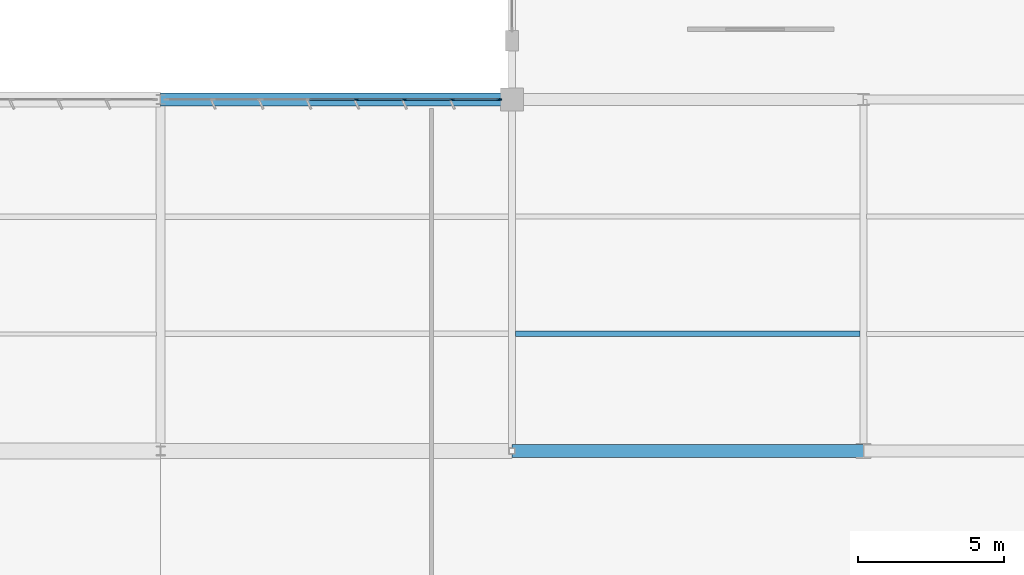
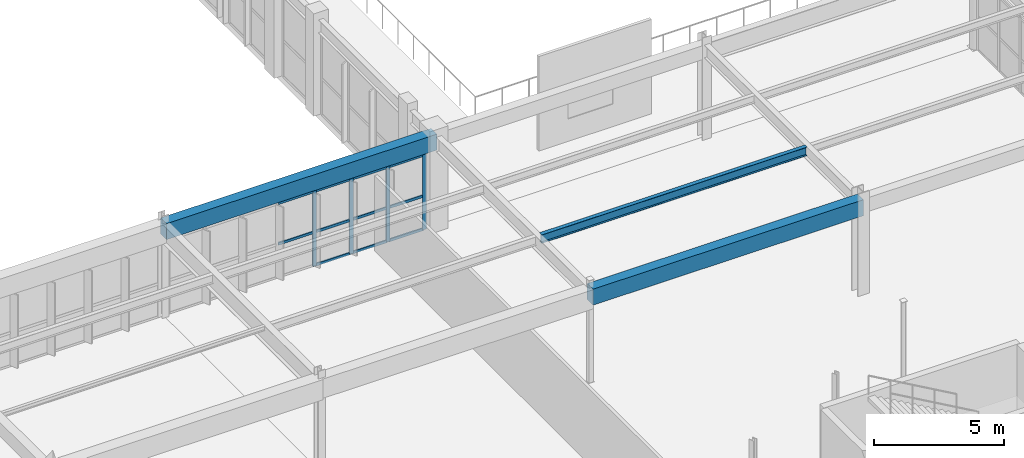
# One storey, part 84 of 226: 15 members, 3 beams, 1 element without a shape of its own.
"""IFC4 building model written with IfcOpenShell, lengths in metres."""

import ifcopenshell
import ifcopenshell.guid

model = None  # the IFC model being written
_history = None  # IfcOwnerHistory: only IFC2X3 demands one
_inside = {}  # id of a spatial element -> (the spatial element, [elements in it])
_under = {}  # id of a project, library or spatial element -> (it, [spatial elements below it])
_declared = {}  # id of a project -> (the project, [libraries it declares])
_typed = {}  # id of a type object -> (the type object, [elements of that type])
_made_of = {}  # id of a material, layer set ... -> (it, [elements and type objects made of it])


def new_model(schema):
    """Start an empty IFC model of exactly this schema.

    Asked for "IFC4X3", IfcOpenShell would pick the latest addendum, in which some entities
    have other attributes; the version numbers below select the first issue.
    IFC2X3 requires an IfcOwnerHistory on every rooted entity: one is made here for all.
    """
    global model, _history
    if schema == "IFC4X3":
        model = ifcopenshell.file(schema_version=(4, 3, 0, 0))
    else:
        model = ifcopenshell.file(schema=schema)
    _inside.clear()
    _under.clear()
    _declared.clear()
    _typed.clear()
    _made_of.clear()
    _history = None
    if model.schema == "IFC2X3":
        org = make("IfcOrganization", Name="unknown")
        user = make(
            "IfcPersonAndOrganization",
            ThePerson=make("IfcPerson", FamilyName="unknown"),
            TheOrganization=org,
        )
        app = make(
            "IfcApplication",
            ApplicationDeveloper=org,
            Version="unknown",
            ApplicationFullName="unknown",
            ApplicationIdentifier="unknown",
        )
        _history = make(
            "IfcOwnerHistory",
            OwningUser=user,
            OwningApplication=app,
            ChangeAction="ADDED",
            CreationDate=0,
        )
    return model


def make(cls, **values):
    """One entity of the class cls with the attributes given. An attribute that is None is left unset."""
    return model.create_entity(
        cls, **{name: value for name, value in values.items() if value is not None}
    )


def rooted(cls, **values):
    """An entity with a GlobalId (a new one), such as an element, a storey or a relation."""
    return make(cls, GlobalId=ifcopenshell.guid.new(), OwnerHistory=_history, **values)


def si_unit(unit_type, name, prefix=None):
    """IfcSIUnit, for example si_unit("LENGTHUNIT", "METRE", prefix="MILLI")."""
    return make("IfcSIUnit", UnitType=unit_type, Prefix=prefix, Name=name)


def assignment(units):
    """IfcUnitAssignment: the units of a project."""
    return None if units is None else make("IfcUnitAssignment", Units=units)


def point(xyz):
    """IfcCartesianPoint."""
    return None if xyz is None else make("IfcCartesianPoint", Coordinates=xyz)


def direction(xyz):
    """IfcDirection."""
    return None if xyz is None else make("IfcDirection", DirectionRatios=xyz)


def frame(location, z_axis=None, x_axis=None):
    """IfcAxis2Placement3D, a coordinate frame: its origin and axes. An axis left out is left unset."""
    return make(
        "IfcAxis2Placement3D",
        Location=point(location),
        Axis=direction(z_axis),
        RefDirection=direction(x_axis),
    )


def frame_2d(location, x_axis=None):
    """IfcAxis2Placement2D, a coordinate frame in the plane: its origin and x axis."""
    return make(
        "IfcAxis2Placement2D", Location=point(location), RefDirection=direction(x_axis)
    )


def origin():
    """The frame at (0, 0, 0) with its axes left unset."""
    return frame((0.0, 0.0, 0.0))


def origin_2d():
    """The frame at (0, 0) in the plane with its x axis left unset."""
    return frame_2d((0.0, 0.0))


def place(relative_to, where):
    """IfcLocalPlacement: puts the frame where relative to a parent placement (None: the world)."""
    return make(
        "IfcLocalPlacement", PlacementRelTo=relative_to, RelativePlacement=where
    )


def context(
    kind, dimensions, precision=None, world=None, true_north=None, identifier=None
):
    """IfcGeometricRepresentationContext, for example the 3D "Model" context."""
    return make(
        "IfcGeometricRepresentationContext",
        ContextIdentifier=identifier,
        ContextType=kind,
        CoordinateSpaceDimension=dimensions,
        Precision=precision,
        WorldCoordinateSystem=world,
        TrueNorth=true_north,
    )


def subcontext(parent, identifier, kind, view, scale=None):
    """IfcGeometricRepresentationSubContext, for example "Body" below "Model"."""
    return make(
        "IfcGeometricRepresentationSubContext",
        ContextIdentifier=identifier,
        ContextType=kind,
        ParentContext=parent,
        TargetScale=scale,
        TargetView=view,
    )


def project(units=None, contexts=None):
    """IfcProject with its units and contexts."""
    return rooted(
        "IfcProject",
        Name="project",
        RepresentationContexts=contexts,
        UnitsInContext=assignment(units),
    )


def spatial(cls, under=None, at=None, **own):
    """A site, building, storey or space (cls), placed at a placement, below another one or the project."""
    s = rooted(cls, ObjectPlacement=at, **own)
    if under is not None:
        _under.setdefault(under.id(), (under, []))[1].append(s)
    return s


def profile(cls, at=None, kind="AREA", **sizes):
    """A parametric profile (cls). Its sizes go by their IFC names, for example OverallWidth=200.0."""
    return make(cls, ProfileType=kind, Position=at, **sizes)


def rectangle(**sizes):
    """IfcRectangleProfileDef."""
    return profile("IfcRectangleProfileDef", **sizes)


def i_section(**sizes):
    """IfcIShapeProfileDef."""
    return profile("IfcIShapeProfileDef", **sizes)


def extrude(swept, where, along, depth):
    """IfcExtrudedAreaSolid: the profile swept, set in the frame where, extruded along a direction by depth."""
    return make(
        "IfcExtrudedAreaSolid",
        SweptArea=swept,
        Position=where,
        ExtrudedDirection=direction(along),
        Depth=depth,
    )


def shape(context_of_items, identifier, shape_type, items):
    """IfcShapeRepresentation: the items that make up one representation, for example the "Body"."""
    return make(
        "IfcShapeRepresentation",
        ContextOfItems=context_of_items,
        RepresentationIdentifier=identifier,
        RepresentationType=shape_type,
        Items=items,
    )


def material(Name=None, Category=None):
    """IfcMaterial."""
    return make("IfcMaterial", Name=Name, Category=Category)


def layer(
    of_material, thickness, ventilated=None, Name=None, Category=None, Priority=None
):
    """IfcMaterialLayer: one layer of a wall or slab, of a material (None: an air gap)."""
    return make(
        "IfcMaterialLayer",
        Material=of_material,
        LayerThickness=thickness,
        IsVentilated=ventilated,
        Name=Name,
        Category=Category,
        Priority=Priority,
    )


def layer_set(layers, Name=None):
    """IfcMaterialLayerSet."""
    return make("IfcMaterialLayerSet", MaterialLayers=layers, LayerSetName=Name)


def material_profile(
    of_material, cross_section, Name=None, Category=None, Priority=None
):
    """IfcMaterialProfile: a cross section and its material."""
    return make(
        "IfcMaterialProfile",
        Name=Name,
        Material=of_material,
        Profile=cross_section,
        Priority=Priority,
        Category=Category,
    )


def profile_set(profiles, Name=None, composite=None):
    """IfcMaterialProfileSet."""
    return make(
        "IfcMaterialProfileSet",
        Name=Name,
        MaterialProfiles=profiles,
        CompositeProfile=composite,
    )


def made_of(thing, what):
    """Note that an element or type object is made of a material, layer set ...; save() writes the relation."""
    if what is not None:
        _made_of.setdefault(what.id(), (what, []))[1].append(thing)
    return thing


def type_object(cls, material=None, **own):
    """A type object (cls), such as IfcWallType, which elements share."""
    return made_of(rooted(cls, **own), material)


def element(
    cls,
    number,
    at=None,
    inside=None,
    cuts=None,
    type_object=None,
    material=None,
    context=None,
    identifier="Body",
    shape_type=None,
    held_by="IfcProductDefinitionShape",
    body=None,
    shapes=None,
    **own,
):
    """One element of the class cls, such as IfcWall. Its Tag is "e" and its number.

    at: its placement. inside: the storey or other place that contains it. cuts: it is an
    opening in that element (IfcRelVoidsElement). A single representation is given by context,
    identifier, shape_type and body (its items); several are given by shapes. held_by: the class
    of the entity that holds the representations. save() writes the other relations.
    """
    e = rooted(cls, Tag="e%d" % number, ObjectPlacement=at, **own)
    if body is not None:
        shapes = [shape(context, identifier, shape_type, body)]
    if shapes is not None:
        e.Representation = make(held_by, Representations=shapes)
    if inside is not None:
        _inside.setdefault(inside.id(), (inside, []))[1].append(e)
    if cuts is not None:
        rooted(
            "IfcRelVoidsElement", RelatingBuildingElement=cuts, RelatedOpeningElement=e
        )
    if type_object is not None:
        _typed.setdefault(type_object.id(), (type_object, []))[1].append(e)
    return made_of(e, material)


def aggregate(whole, parts):
    """IfcRelAggregates: a whole, such as a stair, and the parts it consists of."""
    return rooted("IfcRelAggregates", RelatingObject=whole, RelatedObjects=parts)


def save(model, path):
    """Write the relations noted so far, then the file.

    IfcRelAggregates (storeys below a building ...), IfcRelContainedInSpatialStructure (elements
    in a storey), IfcRelDefinesByType, IfcRelAssociatesMaterial and IfcRelDeclares: one each for
    every whole, place, type object, material and project.
    """
    for whole, parts in _under.values():
        aggregate(whole, parts)
    for where, things in _inside.values():
        rooted(
            "IfcRelContainedInSpatialStructure",
            RelatedElements=things,
            RelatingStructure=where,
        )
    for kind, things in _typed.values():
        rooted("IfcRelDefinesByType", RelatedObjects=things, RelatingType=kind)
    for what, things in _made_of.values():
        rooted("IfcRelAssociatesMaterial", RelatedObjects=things, RelatingMaterial=what)
    for by, libraries in _declared.values():
        rooted("IfcRelDeclares", RelatingContext=by, RelatedDefinitions=libraries)
    model.write(path)


model = new_model("IFC4")

# Units and contexts
model_context = context("Model", 3, precision=1e-05, world=origin(), true_north=direction((0.0, 1.0)))
body_context = subcontext(model_context, "Body", "Model", "MODEL_VIEW")
ifc_project = project(units=[si_unit("LENGTHUNIT", "METRE"), si_unit("AREAUNIT", "SQUARE_METRE"), si_unit("VOLUMEUNIT", "CUBIC_METRE"), si_unit("PLANEANGLEUNIT", "RADIAN"), si_unit("MASSUNIT", "GRAM", prefix="KILO")], contexts=[model_context])

# Site, building, storey
site_placement = place(None, origin())
site = spatial("IfcSite", under=ifc_project, at=site_placement, CompositionType="ELEMENT")
building_placement = place(site_placement, origin())
building = spatial("IfcBuilding", under=site, at=building_placement, Name="Tarnwether General Hospital", CompositionType="ELEMENT")
storey_placement = place(building_placement, frame((0.0, 0.0, 4.800048828125)))
storey = spatial("IfcBuildingStorey", under=building, at=storey_placement, Name="L01", CompositionType="ELEMENT", Elevation=4.800048828125)

# Beams
ifc_material_1 = material(Name="Concrete 40 MPa", Category="concrete")
ifc_material_profile_1 = material_profile(ifc_material_1, rectangle(XDim=0.449951171875, YDim=0.75, at=origin_2d()), Name="RC-BM-450x750")
ifc_profile_set_1 = profile_set([ifc_material_profile_1], Name="Concrete 40 MPa")
beam_type_1 = type_object("IfcBeamType", Name="BM-G13", PredefinedType="BEAM", material=ifc_profile_set_1)
for number, where, z_axis, x_axis, name in (
    (1, (96.0, 45.60009765625, 4.070068359375), (1.0, 0.0, 0.0), (0.0, 1.0, 0.0), "Primary Girder BMG-L01-9600_4560-10800_4560-1164"),
    (2, (108.0, 33.60009765625, 4.070068359375), (1.0, 0.0, 0.0), (0.0, 1.0, 0.0), "Primary Girder BMG-L01-10800_3360-12000_3360-1173"),
):
    element("IfcBeam", number, at=place(storey_placement, frame(where, z_axis=z_axis, x_axis=x_axis)), inside=storey, type_object=beam_type_1, Name=name, PredefinedType="BEAM", context=body_context, shape_type="SweptSolid", body=[
        extrude(rectangle(XDim=0.449951171875, YDim=0.75, at=origin_2d()), origin(), (0.0, 0.0, 1.0), 12.0),
    ])
ifc_material_2 = material(Name="Steel Grade 350 (350 MPa)", Category="steel")
ifc_material_profile_2 = material_profile(ifc_material_2, i_section(OverallWidth=0.177978515625, OverallDepth=0.403076171875, WebThickness=0.007568359375, FlangeThickness=0.010986328125, at=origin_2d()), Name="410UB53.7")
ifc_profile_set_2 = profile_set([ifc_material_profile_2], Name="Steel Grade 350 (350 MPa)")
beam_type_2 = type_object("IfcBeamType", Name="BM-J02", PredefinedType="JOIST", material=ifc_profile_set_2)
beam_placement = place(storey_placement, frame((108.118896484375, 37.60009765625, 4.243408203125), z_axis=(1.0, 0.0, 0.0), x_axis=(0.0, 1.0, 0.0)))
element("IfcBeam", 3, at=beam_placement, inside=storey, type_object=beam_type_2, Name="Composite Floor Joist BMG-L01-10812_3760-11989_3760-1377", PredefinedType="JOIST", context=body_context, shape_type="SweptSolid", body=[
    extrude(i_section(OverallWidth=0.177978515625, OverallDepth=0.403076171875, WebThickness=0.007568359375, FlangeThickness=0.010986328125, at=origin_2d()), origin(), (0.0, 0.0, 1.0), 11.772216796875),
])

# Curtain wall, members
ifc_material_3 = material(Name="Anodised aluminium", Category="aluminium")
ifc_layer = layer(ifc_material_3, 0.159912109375)
ifc_layer_set = layer_set([ifc_layer], Name="Anodised aluminium")
curtain_wall_type = type_object("IfcCurtainWallType", Name="CW-24", PredefinedType="NOTDEFINED", material=ifc_layer_set)
curtain_wall_placement = place(storey_placement, origin())
curtain_wall = element("IfcCurtainWall", 4, at=curtain_wall_placement, inside=storey, type_object=curtain_wall_type, Name="Curtain Wall CWG-L01-1076_456-0343", PredefinedType="NOTDEFINED")
ifc_material_4 = material(Name="Anodised aluminium", Category="aluminium")
ifc_material_profile_3 = material_profile(ifc_material_4, rectangle(XDim=0.06005859375, YDim=0.159912109375, at=origin_2d()), Name="ALU-MUL-60x160")
ifc_profile_set_3 = profile_set([ifc_material_profile_3], Name="Anodised aluminium")
member_type_1 = type_object("IfcMemberType", Name="CW-ML1", PredefinedType="MULLION", material=ifc_profile_set_3)
member_1_placement = place(storey_placement, frame((107.56201171875, 45.60009765625, 0.0), z_axis=(0.0, 0.0, 1.0), x_axis=(0.0, -1.0, 0.0)))
member_1 = element("IfcMember", 5, at=member_1_placement, type_object=member_type_1, Name="CW-24 mullion 1", PredefinedType="MULLION", context=body_context, shape_type="SweptSolid", body=[
    extrude(rectangle(XDim=0.06005859375, YDim=0.159912109375, at=origin_2d()), origin(), (0.0, 0.0, 1.0), 3.530029296875),
])
member_2_placement = place(storey_placement, frame((105.959228515625, 45.60009765625, 0.0), z_axis=(0.0, 0.0, 1.0), x_axis=(0.0, -1.0, 0.0)))
member_2 = element("IfcMember", 6, at=member_2_placement, type_object=member_type_1, Name="CW-24 mullion 2", PredefinedType="MULLION", context=body_context, shape_type="SweptSolid", body=[
    extrude(rectangle(XDim=0.06005859375, YDim=0.159912109375, at=origin_2d()), origin(), (0.0, 0.0, 1.0), 3.530029296875),
])
member_3_placement = place(storey_placement, frame((104.326171875, 45.60009765625, 0.0), z_axis=(0.0, 0.0, 1.0), x_axis=(0.0, -1.0, 0.0)))
member_3 = element("IfcMember", 7, at=member_3_placement, type_object=member_type_1, Name="CW-24 mullion 3", PredefinedType="MULLION", context=body_context, shape_type="SweptSolid", body=[
    extrude(rectangle(XDim=0.06005859375, YDim=0.159912109375, at=origin_2d()), origin(), (0.0, 0.0, 1.0), 3.530029296875),
])
member_4_placement = place(storey_placement, frame((102.693359375, 45.60009765625, 0.0), z_axis=(0.0, 0.0, 1.0), x_axis=(0.0, -1.0, 0.0)))
member_4 = element("IfcMember", 8, at=member_4_placement, type_object=member_type_1, Name="CW-24 mullion 4", PredefinedType="MULLION", context=body_context, shape_type="SweptSolid", body=[
    extrude(rectangle(XDim=0.06005859375, YDim=0.159912109375, at=origin_2d()), origin(), (0.0, 0.0, 1.0), 3.530029296875),
])
ifc_material_5 = material(Name="Anodised aluminium", Category="aluminium")
ifc_material_profile_4 = material_profile(ifc_material_5, rectangle(XDim=0.06005859375, YDim=0.1201171875, at=origin_2d()), Name="ALU-TRN-60x120")
ifc_profile_set_4 = profile_set([ifc_material_profile_4], Name="Anodised aluminium")
member_type_2 = type_object("IfcMemberType", Name="CW-TR1", PredefinedType="USERDEFINED", material=ifc_profile_set_4)
member_5_placement = place(storey_placement, frame((107.531982421875, 45.60009765625, 0.030029296875), z_axis=(-1.0, 0.0, 0.0), x_axis=(0.0, -1.0, 0.0)))
member_5 = element("IfcMember", 9, at=member_5_placement, type_object=member_type_2, Name="CW-24 transom 1.1", ObjectType="TRANSOM", PredefinedType="USERDEFINED", context=body_context, shape_type="SweptSolid", body=[
    extrude(rectangle(XDim=0.06005859375, YDim=0.1201171875, at=origin_2d()), origin(), (0.0, 0.0, 1.0), 1.542724609375),
])
member_6_placement = place(storey_placement, frame((107.531982421875, 45.60009765625, 1.58837890625), z_axis=(-1.0, 0.0, 0.0), x_axis=(0.0, -1.0, 0.0)))
member_6 = element("IfcMember", 10, at=member_6_placement, type_object=member_type_2, Name="CW-24 transom 1.2", ObjectType="TRANSOM", PredefinedType="USERDEFINED", context=body_context, shape_type="SweptSolid", body=[
    extrude(rectangle(XDim=0.06005859375, YDim=0.1201171875, at=origin_2d()), origin(), (0.0, 0.0, 1.0), 1.542724609375),
])
member_7_placement = place(storey_placement, frame((107.531982421875, 45.60009765625, 3.5), z_axis=(-1.0, 0.0, 0.0), x_axis=(0.0, -1.0, 0.0)))
member_7 = element("IfcMember", 11, at=member_7_placement, type_object=member_type_2, Name="CW-24 transom 1.3", ObjectType="TRANSOM", PredefinedType="USERDEFINED", context=body_context, shape_type="SweptSolid", body=[
    extrude(rectangle(XDim=0.06005859375, YDim=0.1201171875, at=origin_2d()), origin(), (0.0, 0.0, 1.0), 1.542724609375),
])
member_8_placement = place(storey_placement, frame((105.92919921875, 45.60009765625, 0.030029296875), z_axis=(-1.0, 0.0, 0.0), x_axis=(0.0, -1.0, 0.0)))
member_8 = element("IfcMember", 12, at=member_8_placement, type_object=member_type_2, Name="CW-24 transom 2.1", ObjectType="TRANSOM", PredefinedType="USERDEFINED", context=body_context, shape_type="SweptSolid", body=[
    extrude(rectangle(XDim=0.06005859375, YDim=0.1201171875, at=origin_2d()), origin(), (0.0, 0.0, 1.0), 1.572998046875),
])
member_9_placement = place(storey_placement, frame((105.92919921875, 45.60009765625, 1.58837890625), z_axis=(-1.0, 0.0, 0.0), x_axis=(0.0, -1.0, 0.0)))
member_9 = element("IfcMember", 13, at=member_9_placement, type_object=member_type_2, Name="CW-24 transom 2.2", ObjectType="TRANSOM", PredefinedType="USERDEFINED", context=body_context, shape_type="SweptSolid", body=[
    extrude(rectangle(XDim=0.06005859375, YDim=0.1201171875, at=origin_2d()), origin(), (0.0, 0.0, 1.0), 1.572998046875),
])
member_10_placement = place(storey_placement, frame((105.92919921875, 45.60009765625, 3.5), z_axis=(-1.0, 0.0, 0.0), x_axis=(0.0, -1.0, 0.0)))
member_10 = element("IfcMember", 14, at=member_10_placement, type_object=member_type_2, Name="CW-24 transom 2.3", ObjectType="TRANSOM", PredefinedType="USERDEFINED", context=body_context, shape_type="SweptSolid", body=[
    extrude(rectangle(XDim=0.06005859375, YDim=0.1201171875, at=origin_2d()), origin(), (0.0, 0.0, 1.0), 1.572998046875),
])
member_11_placement = place(storey_placement, frame((104.29638671875, 45.60009765625, 0.030029296875), z_axis=(-1.0, 0.0, 0.0), x_axis=(0.0, -1.0, 0.0)))
member_11 = element("IfcMember", 15, at=member_11_placement, type_object=member_type_2, Name="CW-24 transom 3.1", ObjectType="TRANSOM", PredefinedType="USERDEFINED", context=body_context, shape_type="SweptSolid", body=[
    extrude(rectangle(XDim=0.06005859375, YDim=0.1201171875, at=origin_2d()), origin(), (0.0, 0.0, 1.0), 1.572998046875),
])
member_12_placement = place(storey_placement, frame((104.29638671875, 45.60009765625, 1.58837890625), z_axis=(-1.0, 0.0, 0.0), x_axis=(0.0, -1.0, 0.0)))
member_12 = element("IfcMember", 16, at=member_12_placement, type_object=member_type_2, Name="CW-24 transom 3.2", ObjectType="TRANSOM", PredefinedType="USERDEFINED", context=body_context, shape_type="SweptSolid", body=[
    extrude(rectangle(XDim=0.06005859375, YDim=0.1201171875, at=origin_2d()), origin(), (0.0, 0.0, 1.0), 1.572998046875),
])
member_13_placement = place(storey_placement, frame((104.29638671875, 45.60009765625, 3.5), z_axis=(-1.0, 0.0, 0.0), x_axis=(0.0, -1.0, 0.0)))
member_13 = element("IfcMember", 17, at=member_13_placement, type_object=member_type_2, Name="CW-24 transom 3.3", ObjectType="TRANSOM", PredefinedType="USERDEFINED", context=body_context, shape_type="SweptSolid", body=[
    extrude(rectangle(XDim=0.06005859375, YDim=0.1201171875, at=origin_2d()), origin(), (0.0, 0.0, 1.0), 1.572998046875),
])
member_14_placement = place(storey_placement, frame((102.663330078125, 45.60009765625, 1.58837890625), z_axis=(-1.0, 0.0, 0.0), x_axis=(0.0, -1.0, 0.0)))
member_14 = element("IfcMember", 18, at=member_14_placement, type_object=member_type_2, Name="CW-24 transom 4.2", ObjectType="TRANSOM", PredefinedType="USERDEFINED", context=body_context, shape_type="SweptSolid", body=[
    extrude(rectangle(XDim=0.06005859375, YDim=0.1201171875, at=origin_2d()), origin(), (0.0, 0.0, 1.0), 1.57275390625),
])
member_15_placement = place(storey_placement, frame((102.663330078125, 45.60009765625, 3.5), z_axis=(-1.0, 0.0, 0.0), x_axis=(0.0, -1.0, 0.0)))
member_15 = element("IfcMember", 19, at=member_15_placement, type_object=member_type_2, Name="CW-24 transom 4.3", ObjectType="TRANSOM", PredefinedType="USERDEFINED", context=body_context, shape_type="SweptSolid", body=[
    extrude(rectangle(XDim=0.06005859375, YDim=0.1201171875, at=origin_2d()), origin(), (0.0, 0.0, 1.0), 1.57275390625),
])
aggregate(curtain_wall, [member_1, member_2, member_3, member_4, member_5, member_6, member_7, member_8, member_9, member_10, member_11, member_12, member_13, member_14, member_15])

save(model, "model.ifc")
